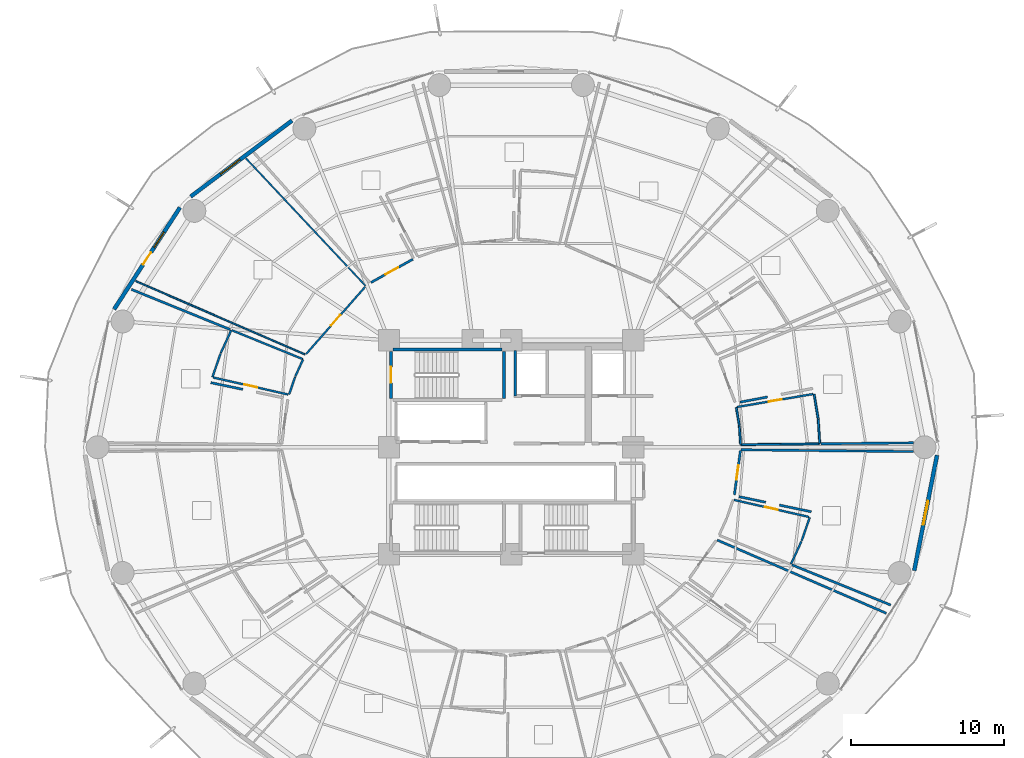
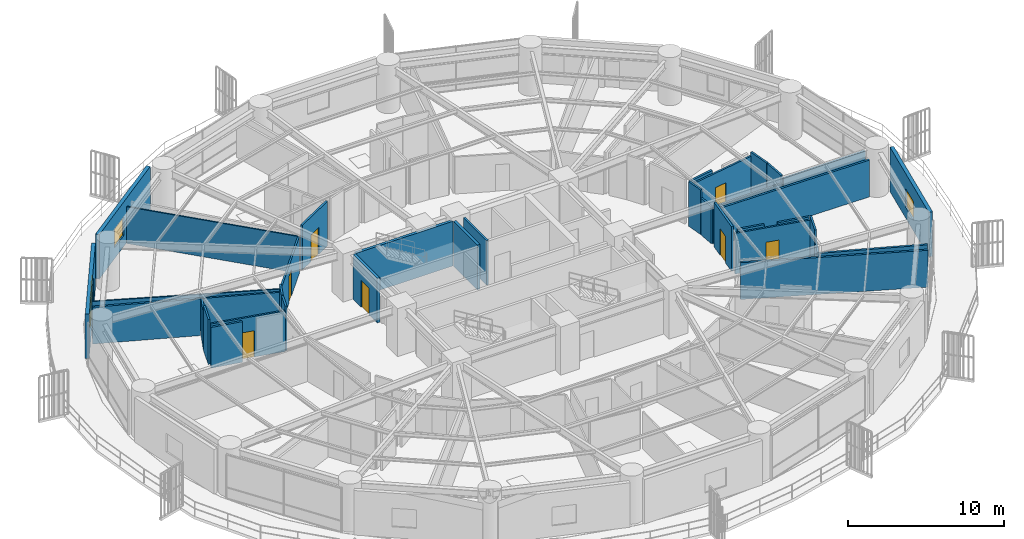
# One storey, part 26 of 33: 36 walls, 8 doors, 3 windows, 11 openings.
"""IFC4 building model written with IfcOpenShell, lengths in metres."""

import ifcopenshell
import ifcopenshell.guid

model = None  # the IFC model being written
_history = None  # IfcOwnerHistory: only IFC2X3 demands one
_inside = {}  # id of a spatial element -> (the spatial element, [elements in it])
_under = {}  # id of a project, library or spatial element -> (it, [spatial elements below it])
_declared = {}  # id of a project -> (the project, [libraries it declares])
_typed = {}  # id of a type object -> (the type object, [elements of that type])
_made_of = {}  # id of a material, layer set ... -> (it, [elements and type objects made of it])


def new_model(schema):
    """Start an empty IFC model of exactly this schema.

    Asked for "IFC4X3", IfcOpenShell would pick the latest addendum, in which some entities
    have other attributes; the version numbers below select the first issue.
    IFC2X3 requires an IfcOwnerHistory on every rooted entity: one is made here for all.
    """
    global model, _history
    if schema == "IFC4X3":
        model = ifcopenshell.file(schema_version=(4, 3, 0, 0))
    else:
        model = ifcopenshell.file(schema=schema)
    _inside.clear()
    _under.clear()
    _declared.clear()
    _typed.clear()
    _made_of.clear()
    _history = None
    if model.schema == "IFC2X3":
        org = make("IfcOrganization", Name="unknown")
        user = make(
            "IfcPersonAndOrganization",
            ThePerson=make("IfcPerson", FamilyName="unknown"),
            TheOrganization=org,
        )
        app = make(
            "IfcApplication",
            ApplicationDeveloper=org,
            Version="unknown",
            ApplicationFullName="unknown",
            ApplicationIdentifier="unknown",
        )
        _history = make(
            "IfcOwnerHistory",
            OwningUser=user,
            OwningApplication=app,
            ChangeAction="ADDED",
            CreationDate=0,
        )
    return model


def make(cls, **values):
    """One entity of the class cls with the attributes given. An attribute that is None is left unset."""
    return model.create_entity(
        cls, **{name: value for name, value in values.items() if value is not None}
    )


def rooted(cls, **values):
    """An entity with a GlobalId (a new one), such as an element, a storey or a relation."""
    return make(cls, GlobalId=ifcopenshell.guid.new(), OwnerHistory=_history, **values)


def si_unit(unit_type, name, prefix=None):
    """IfcSIUnit, for example si_unit("LENGTHUNIT", "METRE", prefix="MILLI")."""
    return make("IfcSIUnit", UnitType=unit_type, Prefix=prefix, Name=name)


def assignment(units):
    """IfcUnitAssignment: the units of a project."""
    return None if units is None else make("IfcUnitAssignment", Units=units)


def point(xyz):
    """IfcCartesianPoint."""
    return None if xyz is None else make("IfcCartesianPoint", Coordinates=xyz)


def direction(xyz):
    """IfcDirection."""
    return None if xyz is None else make("IfcDirection", DirectionRatios=xyz)


def frame(location, z_axis=None, x_axis=None):
    """IfcAxis2Placement3D, a coordinate frame: its origin and axes. An axis left out is left unset."""
    return make(
        "IfcAxis2Placement3D",
        Location=point(location),
        Axis=direction(z_axis),
        RefDirection=direction(x_axis),
    )


def frame_2d(location, x_axis=None):
    """IfcAxis2Placement2D, a coordinate frame in the plane: its origin and x axis."""
    return make(
        "IfcAxis2Placement2D", Location=point(location), RefDirection=direction(x_axis)
    )


def origin():
    """The frame at (0, 0, 0) with its axes left unset."""
    return frame((0.0, 0.0, 0.0))


def place(relative_to, where):
    """IfcLocalPlacement: puts the frame where relative to a parent placement (None: the world)."""
    return make(
        "IfcLocalPlacement", PlacementRelTo=relative_to, RelativePlacement=where
    )


def context(
    kind, dimensions, precision=None, world=None, true_north=None, identifier=None
):
    """IfcGeometricRepresentationContext, for example the 3D "Model" context."""
    return make(
        "IfcGeometricRepresentationContext",
        ContextIdentifier=identifier,
        ContextType=kind,
        CoordinateSpaceDimension=dimensions,
        Precision=precision,
        WorldCoordinateSystem=world,
        TrueNorth=true_north,
    )


def subcontext(parent, identifier, kind, view, scale=None):
    """IfcGeometricRepresentationSubContext, for example "Body" below "Model"."""
    return make(
        "IfcGeometricRepresentationSubContext",
        ContextIdentifier=identifier,
        ContextType=kind,
        ParentContext=parent,
        TargetScale=scale,
        TargetView=view,
    )


def project(units=None, contexts=None):
    """IfcProject with its units and contexts."""
    return rooted(
        "IfcProject",
        Name="project",
        RepresentationContexts=contexts,
        UnitsInContext=assignment(units),
    )


def spatial(cls, under=None, at=None, **own):
    """A site, building, storey or space (cls), placed at a placement, below another one or the project."""
    s = rooted(cls, ObjectPlacement=at, **own)
    if under is not None:
        _under.setdefault(under.id(), (under, []))[1].append(s)
    return s


def profile(cls, at=None, kind="AREA", **sizes):
    """A parametric profile (cls). Its sizes go by their IFC names, for example OverallWidth=200.0."""
    return make(cls, ProfileType=kind, Position=at, **sizes)


def rectangle(**sizes):
    """IfcRectangleProfileDef."""
    return profile("IfcRectangleProfileDef", **sizes)


def extrude(swept, where, along, depth):
    """IfcExtrudedAreaSolid: the profile swept, set in the frame where, extruded along a direction by depth."""
    return make(
        "IfcExtrudedAreaSolid",
        SweptArea=swept,
        Position=where,
        ExtrudedDirection=direction(along),
        Depth=depth,
    )


def shape(context_of_items, identifier, shape_type, items):
    """IfcShapeRepresentation: the items that make up one representation, for example the "Body"."""
    return make(
        "IfcShapeRepresentation",
        ContextOfItems=context_of_items,
        RepresentationIdentifier=identifier,
        RepresentationType=shape_type,
        Items=items,
    )


def material(Name=None, Category=None):
    """IfcMaterial."""
    return make("IfcMaterial", Name=Name, Category=Category)


def layer(
    of_material, thickness, ventilated=None, Name=None, Category=None, Priority=None
):
    """IfcMaterialLayer: one layer of a wall or slab, of a material (None: an air gap)."""
    return make(
        "IfcMaterialLayer",
        Material=of_material,
        LayerThickness=thickness,
        IsVentilated=ventilated,
        Name=Name,
        Category=Category,
        Priority=Priority,
    )


def layer_set(layers, Name=None):
    """IfcMaterialLayerSet."""
    return make("IfcMaterialLayerSet", MaterialLayers=layers, LayerSetName=Name)


def made_of(thing, what):
    """Note that an element or type object is made of a material, layer set ...; save() writes the relation."""
    if what is not None:
        _made_of.setdefault(what.id(), (what, []))[1].append(thing)
    return thing


def type_object(cls, material=None, **own):
    """A type object (cls), such as IfcWallType, which elements share."""
    return made_of(rooted(cls, **own), material)


def element(
    cls,
    number,
    at=None,
    inside=None,
    cuts=None,
    type_object=None,
    material=None,
    context=None,
    identifier="Body",
    shape_type=None,
    held_by="IfcProductDefinitionShape",
    body=None,
    shapes=None,
    **own,
):
    """One element of the class cls, such as IfcWall. Its Tag is "e" and its number.

    at: its placement. inside: the storey or other place that contains it. cuts: it is an
    opening in that element (IfcRelVoidsElement). A single representation is given by context,
    identifier, shape_type and body (its items); several are given by shapes. held_by: the class
    of the entity that holds the representations. save() writes the other relations.
    """
    e = rooted(cls, Tag="e%d" % number, ObjectPlacement=at, **own)
    if body is not None:
        shapes = [shape(context, identifier, shape_type, body)]
    if shapes is not None:
        e.Representation = make(held_by, Representations=shapes)
    if inside is not None:
        _inside.setdefault(inside.id(), (inside, []))[1].append(e)
    if cuts is not None:
        rooted(
            "IfcRelVoidsElement", RelatingBuildingElement=cuts, RelatedOpeningElement=e
        )
    if type_object is not None:
        _typed.setdefault(type_object.id(), (type_object, []))[1].append(e)
    return made_of(e, material)


def fill(opening, filler):
    """IfcRelFillsElement: the door or window that sits in an opening."""
    return rooted(
        "IfcRelFillsElement",
        RelatingOpeningElement=opening,
        RelatedBuildingElement=filler,
    )


def aggregate(whole, parts):
    """IfcRelAggregates: a whole, such as a stair, and the parts it consists of."""
    return rooted("IfcRelAggregates", RelatingObject=whole, RelatedObjects=parts)


def save(model, path):
    """Write the relations noted so far, then the file.

    IfcRelAggregates (storeys below a building ...), IfcRelContainedInSpatialStructure (elements
    in a storey), IfcRelDefinesByType, IfcRelAssociatesMaterial and IfcRelDeclares: one each for
    every whole, place, type object, material and project.
    """
    for whole, parts in _under.values():
        aggregate(whole, parts)
    for where, things in _inside.values():
        rooted(
            "IfcRelContainedInSpatialStructure",
            RelatedElements=things,
            RelatingStructure=where,
        )
    for kind, things in _typed.values():
        rooted("IfcRelDefinesByType", RelatedObjects=things, RelatingType=kind)
    for what, things in _made_of.values():
        rooted("IfcRelAssociatesMaterial", RelatedObjects=things, RelatingMaterial=what)
    for by, libraries in _declared.values():
        rooted("IfcRelDeclares", RelatingContext=by, RelatedDefinitions=libraries)
    model.write(path)


model = new_model("IFC4")

# Units and contexts
model_context = context("Model", 3, precision=1e-05, world=origin(), true_north=direction((0.0, 1.0)))
body_context = subcontext(model_context, "Body", "Model", "MODEL_VIEW")
ifc_project = project(units=[si_unit("LENGTHUNIT", "METRE"), si_unit("AREAUNIT", "SQUARE_METRE"), si_unit("VOLUMEUNIT", "CUBIC_METRE"), si_unit("PLANEANGLEUNIT", "RADIAN"), si_unit("MASSUNIT", "GRAM", prefix="KILO")], contexts=[model_context])

# Site, building, storey
site_placement = place(None, origin())
site = spatial("IfcSite", under=ifc_project, at=site_placement, CompositionType="ELEMENT")
building_placement = place(site_placement, origin())
building = spatial("IfcBuilding", under=site, at=building_placement, Name="Kelanora Arch Commons", CompositionType="ELEMENT")
storey_placement = place(building_placement, frame((0.0, 0.0, 26.25)))
storey = spatial("IfcBuildingStorey", under=building, at=storey_placement, Name="L06", CompositionType="ELEMENT", Elevation=26.25)

# Wall
ifc_material_1 = material(Name="Autoclaved aerated concrete blockwork with fire plaster", Category="masonry")
ifc_layer_1 = layer(ifc_material_1, 0.14990234375)
ifc_layer_set_1 = layer_set([ifc_layer_1], Name="Autoclaved aerated concrete blockwork with fire plaster")
wall_type_1 = type_object("IfcWallType", Name="W-COMP-150", PredefinedType="PARTITIONING", material=ifc_layer_set_1)
wall_1_placement = place(storey_placement, frame((74.280029296875, 61.35009765625, 0.0), z_axis=(0.0, 0.0, 1.0), x_axis=(0.0, 1.0, 0.0)))
element("IfcWall", 1, at=wall_1_placement, inside=storey, type_object=wall_type_1, Name="Firefighting Lift 1 West Shaft Wall L06", PredefinedType="PARTITIONING", context=body_context, shape_type="SweptSolid", body=[
    extrude(rectangle(XDim=2.969970703125, YDim=0.14990234375, at=frame_2d((1.48486328125, 0.0))), origin(), (0.0, 0.0, 1.0), 3.47998046875),
])

# Wall, opening, door
wall_2_placement = place(storey_placement, frame((67.570556640625, 70.31298828125, 0.0), z_axis=(0.0, 0.0, 1.0), x_axis=(-0.874179278891, -0.48560332408, 0.0)))
wall_2 = element("IfcWall", 2, at=wall_2_placement, inside=storey, type_object=wall_type_1, Name="Co-Living Studio L06-05 Entry Partition", PredefinedType="PARTITIONING", context=body_context, shape_type="SweptSolid", body=[
    extrude(rectangle(XDim=3.14013671875, YDim=0.14990234375, at=frame_2d((1.570068359375, 0.0))), origin(), (0.0, 0.0, 1.0), 3.47998046875),
])
opening_1_placement = place(wall_2_placement, frame((1.094970703125, 0.0, 0.0)))
opening_1 = element("IfcOpeningElement", 3, at=opening_1_placement, cuts=wall_2, Name="Opening D-CLU1", PredefinedType="OPENING", context=body_context, shape_type="SweptSolid", body=[
    extrude(rectangle(XDim=0.949951171875, YDim=2.080078125, at=frame_2d((0.47509765625, 1.0400390625))), frame((0.0, 0.0849609375, 0.0), z_axis=(0.0, -1.0, 0.0), x_axis=(1.0, 0.0, 0.0)), (0.0, 0.0, 1.0), 0.169921875),
])
ifc_material_2 = material(Name="Solid-core acoustic timber cluster entry fire door", Category="wood")
door_type_1 = type_object("IfcDoorType", Name="D-CLU-95", OperationType="NOTDEFINED", PredefinedType="DOOR", material=ifc_material_2)
door_1_placement = place(opening_1_placement, origin())
door_1 = element("IfcDoor", 4, at=door_1_placement, inside=storey, type_object=door_type_1, Name="Co-Living Studio L06-05 Door", OperationType="SINGLE_SWING_LEFT", OverallHeight=2.080078125, OverallWidth=0.949951171875, PredefinedType="DOOR", context=body_context, shape_type="SweptSolid", body=[
    extrude(rectangle(XDim=0.949951171875, YDim=2.080078125, at=frame_2d((0.47509765625, 1.0400390625))), frame((0.0, 0.02490234375, 0.0), z_axis=(0.0, -1.0, 0.0), x_axis=(1.0, 0.0, 0.0)), (0.0, 0.0, 1.0), 0.050048828125),
])
fill(opening_1, door_1)

wall_3_placement = place(storey_placement, frame((88.625, 54.885498046875, 0.0), z_axis=(0.0, 0.0, 1.0), x_axis=(0.135838186105, 0.990731036758, 0.0)))
wall_3 = element("IfcWall", 5, at=wall_3_placement, inside=storey, type_object=wall_type_1, Name="Co-Living Studio L06-14 Entry Partition", PredefinedType="PARTITIONING", context=body_context, shape_type="SweptSolid", body=[
    extrude(rectangle(XDim=2.915283203125, YDim=0.14990234375, at=frame_2d((1.45751953125, 0.0))), origin(), (0.0, 0.0, 1.0), 3.47998046875),
])
opening_2_placement = place(wall_3_placement, frame((0.98291015625, 0.0, 0.0)))
opening_2 = element("IfcOpeningElement", 6, at=opening_2_placement, cuts=wall_3, Name="Opening D-CLU1", PredefinedType="OPENING", context=body_context, shape_type="SweptSolid", body=[
    extrude(rectangle(XDim=0.949951171875, YDim=2.080078125, at=frame_2d((0.47509765625, 1.0400390625))), frame((0.0, 0.0849609375, 0.0), z_axis=(0.0, -1.0, 0.0), x_axis=(1.0, 0.0, 0.0)), (0.0, 0.0, 1.0), 0.169921875),
])
door_2_placement = place(opening_2_placement, origin())
door_2 = element("IfcDoor", 7, at=door_2_placement, inside=storey, type_object=door_type_1, Name="Co-Living Studio L06-14 Door", OperationType="SINGLE_SWING_RIGHT", OverallHeight=2.080078125, OverallWidth=0.949951171875, PredefinedType="DOOR", context=body_context, shape_type="SweptSolid", body=[
    extrude(rectangle(XDim=0.949951171875, YDim=2.080078125, at=frame_2d((0.47509765625, 1.0400390625))), frame((0.0, 0.02490234375, 0.0), z_axis=(0.0, -1.0, 0.0), x_axis=(1.0, 0.0, 0.0)), (0.0, 0.0, 1.0), 0.050048828125),
])
fill(opening_2, door_2)

# Walls
wall_4_placement = place(storey_placement, frame((100.360107421875, 58.287109375, 0.0), z_axis=(0.0, 0.0, 1.0), x_axis=(-0.999943071294, -0.010670246996, 0.0)))
element("IfcWall", 8, at=wall_4_placement, inside=storey, type_object=wall_type_1, Name="Co-Living Studio L06-01 Enclosure Partition 5", PredefinedType="PARTITIONING", context=body_context, shape_type="SweptSolid", body=[
    extrude(rectangle(XDim=6.063232421875, YDim=0.14990234375, at=frame_2d((3.03173828125, 0.0))), origin(), (0.0, 0.0, 1.0), 3.235107421875),
])
wall_5_placement = place(storey_placement, frame((90.7890625, 61.289306640625, 0.0), z_axis=(0.0, 0.0, 1.0), x_axis=(-0.98259072308, -0.185783397852, 0.0)))
element("IfcWall", 9, at=wall_5_placement, inside=storey, type_object=wall_type_1, Name="Co-Living Studio L06-01 Enclosure Partition 7", PredefinedType="PARTITIONING", context=body_context, shape_type="SweptSolid", body=[
    extrude(rectangle(XDim=1.823974609375, YDim=0.14990234375, at=frame_2d((0.912109375, 0.0))), origin(), (0.0, 0.0, 1.0), 3.235107421875),
])
wall_6_placement = place(storey_placement, frame((49.135009765625, 68.3359375, 0.0), z_axis=(0.0, 0.0, 1.0), x_axis=(0.926325178802, -0.376724917038, 0.0)))
element("IfcWall", 10, at=wall_6_placement, inside=storey, type_object=wall_type_1, Name="Co-Living Studio L06-07 Enclosure Partition 5", PredefinedType="PARTITIONING", context=body_context, shape_type="SweptSolid", body=[
    extrude(rectangle(XDim=6.9833984375, YDim=0.14990234375, at=frame_2d((3.49169921875, 0.0))), origin(), (0.0, 0.0, 1.0), 2.875),
])
wall_7_placement = place(storey_placement, frame((54.337158203125, 62.226806640625, 0.0), z_axis=(0.0, 0.0, 1.0), x_axis=(0.978922282622, -0.204233113343, 0.0)))
element("IfcWall", 11, at=wall_7_placement, inside=storey, type_object=wall_type_1, Name="Co-Living Studio L06-07 Enclosure Partition 7", PredefinedType="PARTITIONING", context=body_context, shape_type="SweptSolid", body=[
    extrude(rectangle(XDim=2.132568359375, YDim=0.14990234375, at=frame_2d((1.06640625, 0.0))), origin(), (0.0, 0.0, 1.0), 3.175048828125),
])
wall_8_placement = place(storey_placement, frame((87.497802734375, 51.921142578125, 0.0), z_axis=(0.0, 0.0, 1.0), x_axis=(0.917695041134, -0.397285554077, 0.0)))
element("IfcWall", 12, at=wall_8_placement, inside=storey, type_object=wall_type_1, Name="Co-Living Studio L06-13 Enclosure Partition 2", PredefinedType="PARTITIONING", context=body_context, shape_type="SweptSolid", body=[
    extrude(rectangle(XDim=12.06982421875, YDim=0.14990234375, at=frame_2d((6.034912109375, 0.0))), origin(), (0.0, 0.0, 1.0), 2.875),
])
wall_9_placement = place(storey_placement, frame((89.069091796875, 57.83251953125, 0.0), z_axis=(0.0, 0.0, 1.0), x_axis=(0.999943877154, -0.010594458135, 0.0)))
element("IfcWall", 13, at=wall_9_placement, inside=storey, type_object=wall_type_1, Name="Co-Living Studio L06-14 Enclosure Partition 2", PredefinedType="PARTITIONING", context=body_context, shape_type="SweptSolid", body=[
    extrude(rectangle(XDim=11.291748046875, YDim=0.14990234375, at=frame_2d((5.64599609375, 0.0))), origin(), (0.0, 0.0, 1.0), 2.875),
])
wall_10_placement = place(storey_placement, frame((98.864990234375, 47.6640625, 0.0), z_axis=(0.0, 0.0, 1.0), x_axis=(-0.926325178802, 0.376724917038, 0.0)))
element("IfcWall", 14, at=wall_10_placement, inside=storey, type_object=wall_type_1, Name="Co-Living Studio L06-14 Enclosure Partition 5", PredefinedType="PARTITIONING", context=body_context, shape_type="SweptSolid", body=[
    extrude(rectangle(XDim=6.9833984375, YDim=0.14990234375, at=frame_2d((3.49169921875, 0.0))), origin(), (0.0, 0.0, 1.0), 2.875),
])
wall_11_placement = place(storey_placement, frame((93.662841796875, 53.773193359375, 0.0), z_axis=(0.0, 0.0, 1.0), x_axis=(-0.978922282622, 0.204233113343, 0.0)))
element("IfcWall", 15, at=wall_11_placement, inside=storey, type_object=wall_type_1, Name="Co-Living Studio L06-14 Enclosure Partition 7", PredefinedType="PARTITIONING", context=body_context, shape_type="SweptSolid", body=[
    extrude(rectangle(XDim=2.132568359375, YDim=0.14990234375, at=frame_2d((1.06640625, 0.0))), origin(), (0.0, 0.0, 1.0), 3.175048828125),
])
wall_12_placement = place(storey_placement, frame((90.674560546875, 54.396728515625, 0.0), z_axis=(0.0, 0.0, 1.0), x_axis=(-0.978929424395, 0.204198878681, 0.0)))
element("IfcWall", 16, at=wall_12_placement, inside=storey, type_object=wall_type_1, Name="Co-Living Studio L06-14 Enclosure Partition 7", PredefinedType="PARTITIONING", context=body_context, shape_type="SweptSolid", body=[
    extrude(rectangle(XDim=1.79345703125, YDim=0.14990234375, at=frame_2d((0.896728515625, 0.0))), origin(), (0.0, 0.0, 1.0), 3.235107421875),
])

# Wall, opening, window
ifc_material_3 = material(Name="Precast concrete C40/50 with terracotta rainscreen", Category="masonry")
ifc_layer_2 = layer(ifc_material_3, 0.260009765625)
ifc_layer_set_2 = layer_set([ifc_layer_2], Name="Precast concrete C40/50 with terracotta rainscreen")
wall_type_2 = type_object("IfcWallType", Name="W-EXT-TC", PredefinedType="SOLIDWALL", material=ifc_layer_set_2)
wall_13_placement = place(storey_placement, frame((59.651123046875, 79.38916015625, 0.0), z_axis=(0.0, 0.0, 1.0), x_axis=(-0.80030733173, -0.599590005569, 0.0)))
wall_13 = element("IfcWall", 17, at=wall_13_placement, inside=storey, type_object=wall_type_2, Name="Terracotta Exterior Wall L06-B06", PredefinedType="SOLIDWALL", context=body_context, shape_type="SweptSolid", body=[
    extrude(rectangle(XDim=8.29052734375, YDim=0.260009765625, at=frame_2d((4.145263671875, 0.0))), origin(), (0.0, 0.0, 1.0), 3.47509765625),
])
opening_3_placement = place(wall_13_placement, frame((4.2451171875, 0.0, 0.85009765625)))
opening_3 = element("IfcOpeningElement", 18, at=opening_3_placement, cuts=wall_13, Name="Opening WN-01", PredefinedType="OPENING", context=body_context, shape_type="SweptSolid", body=[
    extrude(rectangle(XDim=1.60009765625, YDim=1.449951171875, at=frame_2d((0.800048828125, 0.72509765625))), frame((0.0, 0.14013671875, 0.0), z_axis=(0.0, -1.0, 0.0), x_axis=(1.0, 0.0, 0.0)), (0.0, 0.0, 1.0), 0.280029296875),
])
ifc_material_4 = material(Name="Terracotta-anodised aluminium frame with operable low-E glazing", Category="masonry")
window_type_1 = type_object("IfcWindowType", Name="WIN-CL-18", PartitioningType="DOUBLE_PANEL_VERTICAL", PredefinedType="WINDOW", material=ifc_material_4)
window_1_placement = place(opening_3_placement, origin())
window_1 = element("IfcWindow", 19, at=window_1_placement, inside=storey, type_object=window_type_1, Name="Co-Living Operable Window L06-B06", OverallHeight=1.449951171875, OverallWidth=1.60009765625, PartitioningType="SINGLE_PANEL", PredefinedType="WINDOW", context=body_context, shape_type="SweptSolid", body=[
    extrude(rectangle(XDim=1.60009765625, YDim=1.449951171875, at=frame_2d((0.800048828125, 0.72509765625))), frame((0.0, 0.030029296875, 0.0), z_axis=(0.0, -1.0, 0.0), x_axis=(1.0, 0.0, 0.0)), (0.0, 0.0, 1.0), 0.06005859375),
])
fill(opening_3, window_1)

# Wall, openings, door, window
wall_14_placement = place(storey_placement, frame((52.310791015625, 73.698486328125, 0.0), z_axis=(0.0, 0.0, 1.0), x_axis=(-0.543005114258, -0.839729388488, 0.0)))
wall_14 = element("IfcWall", 20, at=wall_14_placement, inside=storey, type_object=wall_type_2, Name="Terracotta Exterior Wall L06-B07", PredefinedType="SOLIDWALL", context=body_context, shape_type="SweptSolid", body=[
    extrude(rectangle(XDim=7.9375, YDim=0.260009765625, at=frame_2d((3.96875, 0.0))), origin(), (0.0, 0.0, 1.0), 3.47509765625),
])
opening_4_placement = place(wall_14_placement, frame((3.493896484375, 0.0, 0.0)))
opening_4 = element("IfcOpeningElement", 21, at=opening_4_placement, cuts=wall_14, Name="Opening DB-01", PredefinedType="OPENING", context=body_context, shape_type="SweptSolid", body=[
    extrude(rectangle(XDim=0.949951171875, YDim=2.10009765625, at=frame_2d((0.47509765625, 1.050048828125))), frame((0.0, 0.14013671875, 0.0), z_axis=(0.0, -1.0, 0.0), x_axis=(1.0, 0.0, 0.0)), (0.0, 0.0, 1.0), 0.280029296875),
])
opening_5_placement = place(wall_14_placement, frame((1.9140625, 0.0, 0.85009765625)))
opening_5 = element("IfcOpeningElement", 22, at=opening_5_placement, cuts=wall_14, Name="Opening WN-02", PredefinedType="OPENING", context=body_context, shape_type="SweptSolid", body=[
    extrude(rectangle(XDim=1.199951171875, YDim=1.449951171875, at=frame_2d((0.60009765625, 0.72509765625))), frame((0.0, 0.14013671875, 0.0), z_axis=(0.0, -1.0, 0.0), x_axis=(1.0, 0.0, 0.0)), (0.0, 0.0, 1.0), 0.280029296875),
])
ifc_material_5 = material(Name="Terracotta-aluminium thermally broken glazed balcony door", Category="masonry")
door_type_2 = type_object("IfcDoorType", Name="D-BAL-10", OperationType="NOTDEFINED", PredefinedType="DOOR", material=ifc_material_5)
door_3_placement = place(opening_4_placement, frame((0.949951171875, 0.0, 0.0), z_axis=(0.0, 0.0, 1.0), x_axis=(-1.0, 0.0, 0.0)))
door_3 = element("IfcDoor", 23, at=door_3_placement, inside=storey, type_object=door_type_2, Name="Wave Balcony Door L06-B07", OperationType="SINGLE_SWING_RIGHT", OverallHeight=2.10009765625, OverallWidth=0.949951171875, PredefinedType="DOOR", context=body_context, shape_type="SweptSolid", body=[
    extrude(rectangle(XDim=0.949951171875, YDim=2.10009765625, at=frame_2d((0.47509765625, 1.050048828125))), frame((0.0, 0.02490234375, 0.0), z_axis=(0.0, -1.0, 0.0), x_axis=(1.0, 0.0, 0.0)), (0.0, 0.0, 1.0), 0.050048828125),
])
fill(opening_4, door_3)
ifc_material_6 = material(Name="Terracotta-anodised aluminium frame with operable awning sash", Category="masonry")
window_type_2 = type_object("IfcWindowType", Name="WIN-CL-12", PartitioningType="SINGLE_PANEL", PredefinedType="WINDOW", material=ifc_material_6)
window_2_placement = place(opening_5_placement, origin())
window_2 = element("IfcWindow", 24, at=window_2_placement, inside=storey, type_object=window_type_2, Name="Co-Living Operable Window L06-B07", OverallHeight=1.449951171875, OverallWidth=1.199951171875, PartitioningType="SINGLE_PANEL", PredefinedType="WINDOW", context=body_context, shape_type="SweptSolid", body=[
    extrude(rectangle(XDim=1.199951171875, YDim=1.449951171875, at=frame_2d((0.60009765625, 0.72509765625))), frame((0.0, 0.030029296875, 0.0), z_axis=(0.0, -1.0, 0.0), x_axis=(1.0, 0.0, 0.0)), (0.0, 0.0, 1.0), 0.06005859375),
])
fill(opening_5, window_2)

# Wall, opening, window
wall_15_placement = place(storey_placement, frame((100.404296875, 49.919921875, 0.0), z_axis=(0.0, 0.0, 1.0), x_axis=(0.193726159581, 0.98105564322, 0.0)))
wall_15 = element("IfcWall", 25, at=wall_15_placement, inside=storey, type_object=wall_type_2, Name="Terracotta Exterior Wall L06-B17", PredefinedType="SOLIDWALL", context=body_context, shape_type="SweptSolid", body=[
    extrude(rectangle(XDim=7.70263671875, YDim=0.260009765625, at=frame_2d((3.851318359375, 0.0))), origin(), (0.0, 0.0, 1.0), 3.47509765625),
])
opening_6_placement = place(wall_15_placement, frame((3.051025390625, 0.0, 0.85009765625)))
opening_6 = element("IfcOpeningElement", 26, at=opening_6_placement, cuts=wall_15, Name="Opening WN-01", PredefinedType="OPENING", context=body_context, shape_type="SweptSolid", body=[
    extrude(rectangle(XDim=1.60009765625, YDim=1.449951171875, at=frame_2d((0.800048828125, 0.72509765625))), frame((0.0, 0.14013671875, 0.0), z_axis=(0.0, -1.0, 0.0), x_axis=(1.0, 0.0, 0.0)), (0.0, 0.0, 1.0), 0.280029296875),
])
window_3_placement = place(opening_6_placement, origin())
window_3 = element("IfcWindow", 27, at=window_3_placement, inside=storey, type_object=window_type_1, Name="Co-Living Operable Window L06-B17", OverallHeight=1.449951171875, OverallWidth=1.60009765625, PartitioningType="SINGLE_PANEL", PredefinedType="WINDOW", context=body_context, shape_type="SweptSolid", body=[
    extrude(rectangle(XDim=1.60009765625, YDim=1.449951171875, at=frame_2d((0.800048828125, 0.72509765625))), frame((0.0, 0.030029296875, 0.0), z_axis=(0.0, -1.0, 0.0), x_axis=(1.0, 0.0, 0.0)), (0.0, 0.0, 1.0), 0.06005859375),
])
fill(opening_6, window_3)

# Walls
ifc_material_7 = material(Name="Lightweight fire-rated acoustic stud partition")
ifc_layer_3 = layer(ifc_material_7, 0.10009765625)
ifc_layer_set_3 = layer_set([ifc_layer_3], Name="Lightweight fire-rated acoustic stud partition")
wall_type_3 = type_object("IfcWallType", Name="W-PART-100", PredefinedType="PARTITIONING", material=ifc_layer_set_3)
wall_16_placement = place(storey_placement, frame((60.502197265625, 64.078857421875, 0.0), z_axis=(0.0, 0.0, 1.0), x_axis=(-0.917695041134, 0.397285554077, 0.0)))
element("IfcWall", 28, at=wall_16_placement, inside=storey, type_object=wall_type_3, Name="Quiet Seminar Study Room L06-06 Enclosure Partition 2", PredefinedType="PARTITIONING", context=body_context, shape_type="SweptSolid", body=[
    extrude(rectangle(XDim=12.06982421875, YDim=0.10009765625, at=frame_2d((6.034912109375, 0.0))), origin(), (0.0, 0.0, 1.0), 2.875),
])
wall_17_placement = place(storey_placement, frame((56.63232421875, 76.921875, 0.0), z_axis=(0.0, 0.0, 1.0), x_axis=(0.684261294523, -0.729236916796, 0.0)))
element("IfcWall", 29, at=wall_17_placement, inside=storey, type_object=wall_type_3, Name="Quiet Seminar Study Room L06-06 Enclosure Partition 4", PredefinedType="PARTITIONING", context=body_context, shape_type="SweptSolid", body=[
    extrude(rectangle(XDim=11.4375, YDim=0.10009765625, at=frame_2d((5.71875, 0.0))), origin(), (0.0, 0.0, 1.0), 2.875),
])

# Wall, opening, door
ifc_material_8 = material(Name="Acoustic twin-stud fire-rated gypsum partition")
ifc_layer_4 = layer(ifc_material_8, 0.1201171875)
ifc_layer_set_4 = layer_set([ifc_layer_4], Name="Acoustic twin-stud fire-rated gypsum partition")
wall_type_4 = type_object("IfcWallType", Name="W-PART-120", PredefinedType="PARTITIONING", material=ifc_layer_set_4)
wall_18_placement = place(storey_placement, frame((64.4462890625, 68.5068359375, 0.0), z_axis=(0.0, 0.0, 1.0), x_axis=(-0.660323401664, -0.75098136143, 0.0)))
wall_18 = element("IfcWall", 30, at=wall_18_placement, inside=storey, type_object=wall_type_4, Name="Quiet Seminar Study Room L06-06 Entry Partition", PredefinedType="PARTITIONING", context=body_context, shape_type="SweptSolid", body=[
    extrude(rectangle(XDim=5.857177734375, YDim=0.1201171875, at=frame_2d((2.9287109375, 0.0))), origin(), (0.0, 0.0, 1.0), 2.875),
])
opening_7_placement = place(wall_18_placement, frame((2.47900390625, 0.0, 0.0)))
opening_7 = element("IfcOpeningElement", 31, at=opening_7_placement, cuts=wall_18, Name="Opening D-RM1", PredefinedType="OPENING", context=body_context, shape_type="SweptSolid", body=[
    extrude(rectangle(XDim=0.89990234375, YDim=2.080078125, at=frame_2d((0.449951171875, 1.0400390625))), frame((0.0, 0.070068359375, 0.0), z_axis=(0.0, -1.0, 0.0), x_axis=(1.0, 0.0, 0.0)), (0.0, 0.0, 1.0), 0.14013671875),
])
ifc_material_9 = material(Name="Acoustic fire-rated timber study and lounge door", Category="wood")
door_type_3 = type_object("IfcDoorType", Name="D-ROOM-90", OperationType="NOTDEFINED", PredefinedType="DOOR", material=ifc_material_9)
door_4_placement = place(opening_7_placement, origin())
door_4 = element("IfcDoor", 32, at=door_4_placement, inside=storey, type_object=door_type_3, Name="Quiet Seminar Study Room L06-06 Door", OperationType="SINGLE_SWING_RIGHT", OverallHeight=2.080078125, OverallWidth=0.89990234375, PredefinedType="DOOR", context=body_context, shape_type="SweptSolid", body=[
    extrude(rectangle(XDim=0.89990234375, YDim=2.080078125, at=frame_2d((0.449951171875, 1.0400390625))), frame((0.0, 0.02490234375, 0.0), z_axis=(0.0, -1.0, 0.0), x_axis=(1.0, 0.0, 0.0)), (0.0, 0.0, 1.0), 0.050048828125),
])
fill(opening_7, door_4)

# Walls
ifc_material_10 = material(Name="Concrete C40/50", Category="concrete")
ifc_layer_5 = layer(ifc_material_10, 0.199951171875)
ifc_layer_set_5 = layer_set([ifc_layer_5], Name="Concrete C40/50")
wall_type_5 = type_object("IfcWallType", Name="W-STAIR-200", PredefinedType="SHEAR", material=ifc_layer_set_5)
wall_19_placement = place(storey_placement, frame((73.5400390625, 61.199951171875, 0.0), z_axis=(0.0, 0.0, 1.0), x_axis=(0.0, 1.0, 0.0)))
element("IfcWall", 33, at=wall_19_placement, inside=storey, type_object=wall_type_5, Name="Stair ST-T1 Shaft Wall E L06", PredefinedType="SHEAR", context=body_context, shape_type="SweptSolid", body=[
    extrude(rectangle(XDim=3.070068359375, YDim=0.199951171875, at=frame_2d((1.53515625, 0.0))), origin(), (0.0, 0.0, 1.0), 3.489990234375),
])
wall_20_placement = place(storey_placement, frame((73.419921875, 64.389892578125, 0.0), z_axis=(0.0, 0.0, 1.0), x_axis=(-1.0, 0.0, 0.0)))
element("IfcWall", 34, at=wall_20_placement, inside=storey, type_object=wall_type_5, Name="Stair ST-T1 Shaft Wall N L06", PredefinedType="SHEAR", context=body_context, shape_type="SweptSolid", body=[
    extrude(rectangle(XDim=7.159912109375, YDim=0.199951171875, at=frame_2d((3.580078125, 0.0))), origin(), (0.0, 0.0, 1.0), 3.489990234375),
])

# Wall, opening, door
wall_21_placement = place(storey_placement, frame((66.139892578125, 64.27001953125, 0.0), z_axis=(0.0, 0.0, 1.0), x_axis=(0.0, -1.0, 0.0)))
wall_21 = element("IfcWall", 35, at=wall_21_placement, inside=storey, type_object=wall_type_5, Name="Stair ST-T1 Shaft Wall W L06", PredefinedType="SHEAR", context=body_context, shape_type="SweptSolid", body=[
    extrude(rectangle(XDim=3.070068359375, YDim=0.199951171875, at=frame_2d((1.53515625, 0.0))), origin(), (0.0, 0.0, 1.0), 3.489990234375),
])
opening_8_placement = place(wall_21_placement, frame((1.010009765625, 0.0, 0.0)))
opening_8 = element("IfcOpeningElement", 36, at=opening_8_placement, cuts=wall_21, Name="Opening D-ST1", PredefinedType="OPENING", context=body_context, shape_type="SweptSolid", body=[
    extrude(rectangle(XDim=1.050048828125, YDim=2.10009765625, at=frame_2d((0.52490234375, 1.050048828125))), frame((0.0, 0.10986328125, 0.0), z_axis=(0.0, -1.0, 0.0), x_axis=(1.0, 0.0, 0.0)), (0.0, 0.0, 1.0), 0.219970703125),
])
ifc_material_11 = material(Name="Steel fire-rated stairwell escape door", Category="steel")
door_type_4 = type_object("IfcDoorType", Name="D-STAIR-110", OperationType="NOTDEFINED", PredefinedType="DOOR", material=ifc_material_11)
door_5_placement = place(opening_8_placement, origin())
door_5 = element("IfcDoor", 37, at=door_5_placement, inside=storey, type_object=door_type_4, Name="Stair ST-T1 Escape Door L06", OperationType="SINGLE_SWING_LEFT", OverallHeight=2.10009765625, OverallWidth=1.050048828125, PredefinedType="DOOR", context=body_context, shape_type="SweptSolid", body=[
    extrude(rectangle(XDim=1.050048828125, YDim=2.10009765625, at=frame_2d((0.52490234375, 1.050048828125))), frame((0.0, 0.02490234375, 0.0), z_axis=(0.0, -1.0, 0.0), x_axis=(1.0, 0.0, 0.0)), (0.0, 0.0, 1.0), 0.050048828125),
])
fill(opening_8, door_5)

ifc_material_12 = material(Name="Moisture-resistant fire-rated cement-board plumbing wall")
ifc_layer_6 = layer(ifc_material_12, 0.1298828125)
ifc_layer_set_6 = layer_set([ifc_layer_6], Name="Moisture-resistant fire-rated cement-board plumbing wall")
wall_type_6 = type_object("IfcWallType", Name="W-WET-120", PredefinedType="PLUMBINGWALL", material=ifc_layer_set_6)
wall_22_placement = place(storey_placement, frame((88.80810546875, 60.634033203125, 0.0), z_axis=(0.0, 0.0, 1.0), x_axis=(0.985746995542, 0.168234540986, 0.0)))
wall_22 = element("IfcWall", 38, at=wall_22_placement, inside=storey, type_object=wall_type_6, Name="En-Suite Shower WC L06-01 Entry Partition", PredefinedType="PLUMBINGWALL", context=body_context, shape_type="SweptSolid", body=[
    extrude(rectangle(XDim=5.0458984375, YDim=0.1298828125, at=frame_2d((2.52294921875, 0.0))), origin(), (0.0, 0.0, 1.0), 3.175048828125),
])
opening_9_placement = place(wall_22_placement, frame((2.093017578125, 0.0, 0.0)))
opening_9 = element("IfcOpeningElement", 39, at=opening_9_placement, cuts=wall_22, Name="Opening D-BT1", PredefinedType="OPENING", context=body_context, shape_type="SweptSolid", body=[
    extrude(rectangle(XDim=0.860107421875, YDim=2.050048828125, at=frame_2d((0.43017578125, 1.02490234375))), frame((0.0, 0.074951171875, 0.0), z_axis=(0.0, -1.0, 0.0), x_axis=(1.0, 0.0, 0.0)), (0.0, 0.0, 1.0), 0.14990234375),
])
ifc_material_13 = material(Name="Moisture-sealed fire-rated accessible bathroom door")
door_type_5 = type_object("IfcDoorType", Name="D-BATH-85", OperationType="NOTDEFINED", PredefinedType="DOOR", material=ifc_material_13)
door_6_placement = place(opening_9_placement, origin())
door_6 = element("IfcDoor", 40, at=door_6_placement, inside=storey, type_object=door_type_5, Name="En-Suite Shower WC L06-01 Door", OperationType="SINGLE_SWING_LEFT", OverallHeight=2.050048828125, OverallWidth=0.860107421875, PredefinedType="DOOR", context=body_context, shape_type="SweptSolid", body=[
    extrude(rectangle(XDim=0.860107421875, YDim=2.050048828125, at=frame_2d((0.43017578125, 1.02490234375))), frame((0.0, 0.02490234375, 0.0), z_axis=(0.0, -1.0, 0.0), x_axis=(1.0, 0.0, 0.0)), (0.0, 0.0, 1.0), 0.050048828125),
])
fill(opening_9, door_6)

wall_23_placement = place(storey_placement, frame((59.3974609375, 61.452392578125, 0.0), z_axis=(0.0, 0.0, 1.0), x_axis=(-0.975187669184, 0.221379786503, 0.0)))
wall_23 = element("IfcWall", 41, at=wall_23_placement, inside=storey, type_object=wall_type_6, Name="En-Suite Shower WC L06-07 Entry Partition", PredefinedType="PLUMBINGWALL", context=body_context, shape_type="SweptSolid", body=[
    extrude(rectangle(XDim=5.02880859375, YDim=0.1298828125, at=frame_2d((2.514404296875, 0.0))), origin(), (0.0, 0.0, 1.0), 3.175048828125),
])
opening_10_placement = place(wall_23_placement, frame((2.083984375, 0.0, 0.0)))
opening_10 = element("IfcOpeningElement", 42, at=opening_10_placement, cuts=wall_23, Name="Opening D-BT1", PredefinedType="OPENING", context=body_context, shape_type="SweptSolid", body=[
    extrude(rectangle(XDim=0.860107421875, YDim=2.050048828125, at=frame_2d((0.43017578125, 1.02490234375))), frame((0.0, 0.074951171875, 0.0), z_axis=(0.0, -1.0, 0.0), x_axis=(1.0, 0.0, 0.0)), (0.0, 0.0, 1.0), 0.14990234375),
])
door_7_placement = place(opening_10_placement, origin())
door_7 = element("IfcDoor", 43, at=door_7_placement, inside=storey, type_object=door_type_5, Name="En-Suite Shower WC L06-07 Door", OperationType="SINGLE_SWING_LEFT", OverallHeight=2.050048828125, OverallWidth=0.860107421875, PredefinedType="DOOR", context=body_context, shape_type="SweptSolid", body=[
    extrude(rectangle(XDim=0.860107421875, YDim=2.050048828125, at=frame_2d((0.43017578125, 1.02490234375))), frame((0.0, 0.02490234375, 0.0), z_axis=(0.0, -1.0, 0.0), x_axis=(1.0, 0.0, 0.0)), (0.0, 0.0, 1.0), 0.050048828125),
])
fill(opening_10, door_7)

wall_24_placement = place(storey_placement, frame((88.6025390625, 54.547607421875, 0.0), z_axis=(0.0, 0.0, 1.0), x_axis=(0.975187669184, -0.221379786503, 0.0)))
wall_24 = element("IfcWall", 44, at=wall_24_placement, inside=storey, type_object=wall_type_6, Name="En-Suite Shower WC L06-14 Entry Partition", PredefinedType="PLUMBINGWALL", context=body_context, shape_type="SweptSolid", body=[
    extrude(rectangle(XDim=5.02880859375, YDim=0.1298828125, at=frame_2d((2.514404296875, 0.0))), origin(), (0.0, 0.0, 1.0), 3.175048828125),
])
opening_11_placement = place(wall_24_placement, frame((2.083984375, 0.0, 0.0)))
opening_11 = element("IfcOpeningElement", 45, at=opening_11_placement, cuts=wall_24, Name="Opening D-BT1", PredefinedType="OPENING", context=body_context, shape_type="SweptSolid", body=[
    extrude(rectangle(XDim=0.860107421875, YDim=2.050048828125, at=frame_2d((0.43017578125, 1.02490234375))), frame((0.0, 0.074951171875, 0.0), z_axis=(0.0, -1.0, 0.0), x_axis=(1.0, 0.0, 0.0)), (0.0, 0.0, 1.0), 0.14990234375),
])
door_8_placement = place(opening_11_placement, origin())
door_8 = element("IfcDoor", 46, at=door_8_placement, inside=storey, type_object=door_type_5, Name="En-Suite Shower WC L06-14 Door", OperationType="SINGLE_SWING_LEFT", OverallHeight=2.050048828125, OverallWidth=0.860107421875, PredefinedType="DOOR", context=body_context, shape_type="SweptSolid", body=[
    extrude(rectangle(XDim=0.860107421875, YDim=2.050048828125, at=frame_2d((0.43017578125, 1.02490234375))), frame((0.0, 0.02490234375, 0.0), z_axis=(0.0, -1.0, 0.0), x_axis=(1.0, 0.0, 0.0)), (0.0, 0.0, 1.0), 0.050048828125),
])
fill(opening_11, door_8)

# Walls
wall_25_placement = place(storey_placement, frame((89.027587890625, 58.18701171875, 0.0), z_axis=(0.0, 0.0, 1.0), x_axis=(-0.063661240763, 0.99797156594, 0.0)))
element("IfcWall", 47, at=wall_25_placement, inside=storey, type_object=wall_type_6, Name="En-Suite Shower WC L06-01 Enclosure Partition 1", PredefinedType="PLUMBINGWALL", context=body_context, shape_type="SweptSolid", body=[
    extrude(rectangle(XDim=1.196533203125, YDim=0.1298828125, at=frame_2d((0.59814453125, 0.0))), origin(), (0.0, 0.0, 1.0), 2.875),
])
wall_26_placement = place(storey_placement, frame((88.94677734375, 59.420654296875, 0.0), z_axis=(0.0, 0.0, 1.0), x_axis=(-0.162220174474, 0.986754587014, 0.0)))
element("IfcWall", 48, at=wall_26_placement, inside=storey, type_object=wall_type_6, Name="En-Suite Shower WC L06-01 Enclosure Partition 2", PredefinedType="PLUMBINGWALL", context=body_context, shape_type="SweptSolid", body=[
    extrude(rectangle(XDim=1.199462890625, YDim=0.1298828125, at=frame_2d((0.599609375, 0.0))), origin(), (0.0, 0.0, 1.0), 3.47998046875),
])
wall_27_placement = place(storey_placement, frame((93.84423828125, 61.473388671875, 0.0), z_axis=(0.0, 0.0, 1.0), x_axis=(0.16417773594, -0.986430773558, 0.0)))
element("IfcWall", 49, at=wall_27_placement, inside=storey, type_object=wall_type_6, Name="En-Suite Shower WC L06-01 Enclosure Partition 4", PredefinedType="PLUMBINGWALL", context=body_context, shape_type="SweptSolid", body=[
    extrude(rectangle(XDim=1.610595703125, YDim=0.1298828125, at=frame_2d((0.80517578125, 0.0))), origin(), (0.0, 0.0, 1.0), 3.47998046875),
])
wall_28_placement = place(storey_placement, frame((94.11328125, 59.844970703125, 0.0), z_axis=(0.0, 0.0, 1.0), x_axis=(0.06383542257, -0.997960439509, 0.0)))
element("IfcWall", 50, at=wall_28_placement, inside=storey, type_object=wall_type_6, Name="En-Suite Shower WC L06-01 Enclosure Partition 5", PredefinedType="PLUMBINGWALL", context=body_context, shape_type="SweptSolid", body=[
    extrude(rectangle(XDim=1.606201171875, YDim=0.1298828125, at=frame_2d((0.80322265625, 0.0))), origin(), (0.0, 0.0, 1.0), 3.47998046875),
])
wall_29_placement = place(storey_placement, frame((94.197021484375, 58.2216796875, 0.0), z_axis=(0.0, 0.0, 1.0), x_axis=(-0.999944081579, -0.010575146078, 0.0)))
element("IfcWall", 51, at=wall_29_placement, inside=storey, type_object=wall_type_6, Name="En-Suite Shower WC L06-01 Enclosure Partition 6", PredefinedType="PLUMBINGWALL", context=body_context, shape_type="SweptSolid", body=[
    extrude(rectangle(XDim=5.148193359375, YDim=0.1298828125, at=frame_2d((2.57421875, 0.0))), origin(), (0.0, 0.0, 1.0), 2.875),
])
wall_30_placement = place(storey_placement, frame((60.37158203125, 63.744873046875, 0.0), z_axis=(0.0, 0.0, 1.0), x_axis=(-0.4138937247, -0.910325208183, 0.0)))
element("IfcWall", 52, at=wall_30_placement, inside=storey, type_object=wall_type_6, Name="En-Suite Shower WC L06-07 Enclosure Partition 1", PredefinedType="PLUMBINGWALL", context=body_context, shape_type="SweptSolid", body=[
    extrude(rectangle(XDim=1.2158203125, YDim=0.1298828125, at=frame_2d((0.60791015625, 0.0))), origin(), (0.0, 0.0, 1.0), 3.47998046875),
])
wall_31_placement = place(storey_placement, frame((59.853515625, 62.60107421875, 0.0), z_axis=(0.0, 0.0, 1.0), x_axis=(-0.323735286305, -0.946147696928, 0.0)))
element("IfcWall", 53, at=wall_31_placement, inside=storey, type_object=wall_type_6, Name="En-Suite Shower WC L06-07 Enclosure Partition 2", PredefinedType="PLUMBINGWALL", context=body_context, shape_type="SweptSolid", body=[
    extrude(rectangle(XDim=1.2080078125, YDim=0.1298828125, at=frame_2d((0.60400390625, 0.0))), origin(), (0.0, 0.0, 1.0), 3.47998046875),
])
wall_32_placement = place(storey_placement, frame((54.44140625, 62.597900390625, 0.0), z_axis=(0.0, 0.0, 1.0), x_axis=(0.326356647952, 0.945246707657, 0.0)))
element("IfcWall", 54, at=wall_32_placement, inside=storey, type_object=wall_type_6, Name="En-Suite Shower WC L06-07 Enclosure Partition 4", PredefinedType="PLUMBINGWALL", context=body_context, shape_type="SweptSolid", body=[
    extrude(rectangle(XDim=1.6240234375, YDim=0.1298828125, at=frame_2d((0.81201171875, 0.0))), origin(), (0.0, 0.0, 1.0), 3.47998046875),
])
wall_33_placement = place(storey_placement, frame((54.986328125, 64.170166015625, 0.0), z_axis=(0.0, 0.0, 1.0), x_axis=(0.41762687648, 0.908618617486, 0.0)))
element("IfcWall", 55, at=wall_33_placement, inside=storey, type_object=wall_type_6, Name="En-Suite Shower WC L06-07 Enclosure Partition 5", PredefinedType="PLUMBINGWALL", context=body_context, shape_type="SweptSolid", body=[
    extrude(rectangle(XDim=1.634033203125, YDim=0.1298828125, at=frame_2d((0.81689453125, 0.0))), origin(), (0.0, 0.0, 1.0), 2.875),
])
wall_34_placement = place(storey_placement, frame((55.695556640625, 65.66552734375, 0.0), z_axis=(0.0, 0.0, 1.0), x_axis=(0.926504606816, -0.376283421835, 0.0)))
element("IfcWall", 56, at=wall_34_placement, inside=storey, type_object=wall_type_6, Name="En-Suite Shower WC L06-07 Enclosure Partition 6", PredefinedType="PLUMBINGWALL", context=body_context, shape_type="SweptSolid", body=[
    extrude(rectangle(XDim=5.0361328125, YDim=0.1298828125, at=frame_2d((2.51806640625, 0.0))), origin(), (0.0, 0.0, 1.0), 2.875),
])
wall_35_placement = place(storey_placement, frame((93.55859375, 53.402099609375, 0.0), z_axis=(0.0, 0.0, 1.0), x_axis=(-0.326356647952, -0.945246707657, 0.0)))
element("IfcWall", 57, at=wall_35_placement, inside=storey, type_object=wall_type_6, Name="En-Suite Shower WC L06-14 Enclosure Partition 4", PredefinedType="PLUMBINGWALL", context=body_context, shape_type="SweptSolid", body=[
    extrude(rectangle(XDim=1.6240234375, YDim=0.1298828125, at=frame_2d((0.81201171875, 0.0))), origin(), (0.0, 0.0, 1.0), 3.47998046875),
])
wall_36_placement = place(storey_placement, frame((93.013671875, 51.829833984375, 0.0), z_axis=(0.0, 0.0, 1.0), x_axis=(-0.41762687648, -0.908618617486, 0.0)))
element("IfcWall", 58, at=wall_36_placement, inside=storey, type_object=wall_type_6, Name="En-Suite Shower WC L06-14 Enclosure Partition 5", PredefinedType="PLUMBINGWALL", context=body_context, shape_type="SweptSolid", body=[
    extrude(rectangle(XDim=1.634033203125, YDim=0.1298828125, at=frame_2d((0.81689453125, 0.0))), origin(), (0.0, 0.0, 1.0), 2.875),
])

save(model, "model.ifc")
